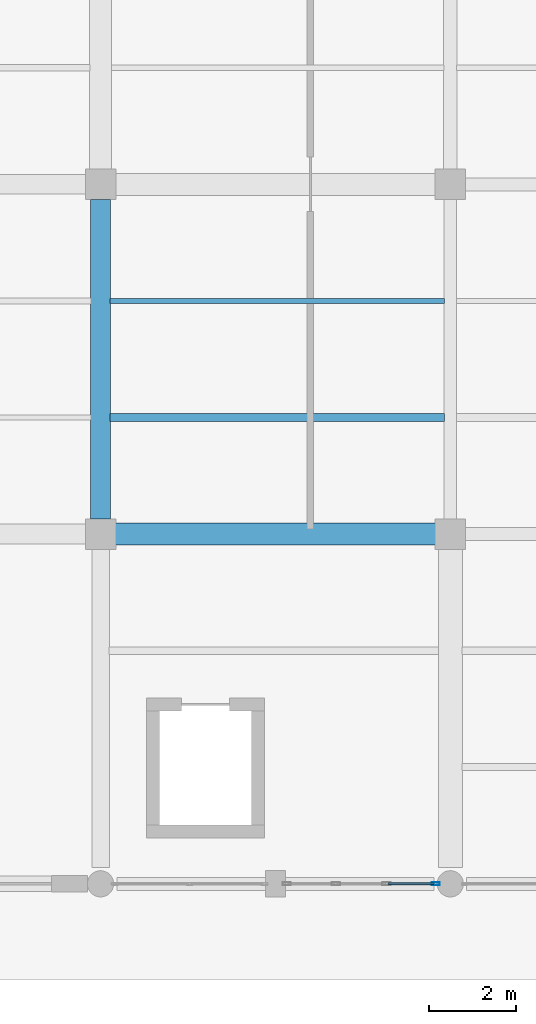
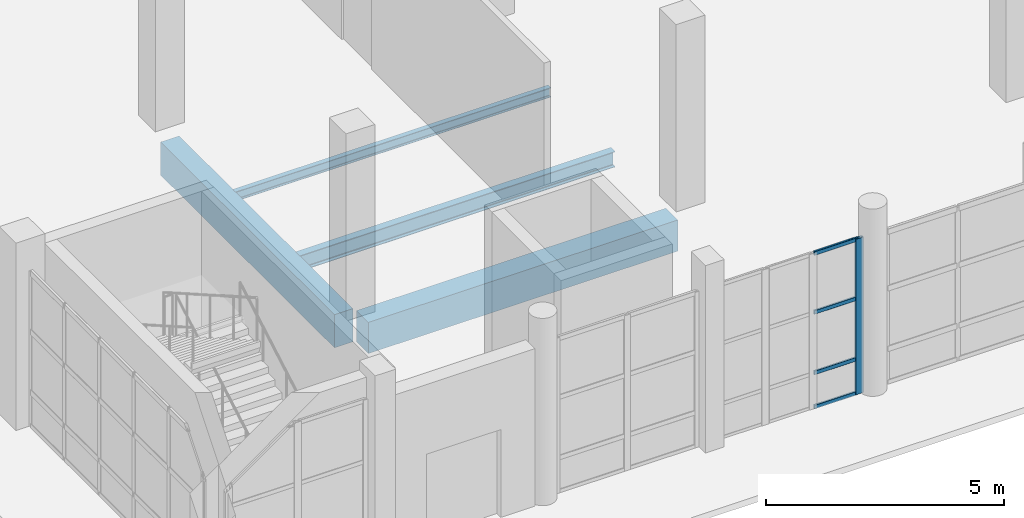
# One storey, part 6 of 156: 5 members, 4 beams, 1 element without a shape of its own.
"""IFC4 building model written with IfcOpenShell, lengths in metres."""

from ifc_helpers import new_model, si_unit, direction, frame, origin, origin_2d, place, context, subcontext, project, spatial, rectangle, hollow_rectangle, i_section, extrude, material, material_profile, profile_set, type_object, element, aggregate, save


model = new_model("IFC4")

# Units and contexts
model_context = context("Model", 3, precision=1e-05, world=origin(), true_north=direction((0.0, 1.0)))
body_context = subcontext(model_context, "Body", "Model", "MODEL_VIEW")
ifc_project = project(units=[si_unit("LENGTHUNIT", "METRE"), si_unit("AREAUNIT", "SQUARE_METRE"), si_unit("VOLUMEUNIT", "CUBIC_METRE"), si_unit("PLANEANGLEUNIT", "RADIAN"), si_unit("MASSUNIT", "GRAM", prefix="KILO")], contexts=[model_context])

# Site, building, storey
site_placement = place(None, origin())
site = spatial("IfcSite", under=ifc_project, at=site_placement, CompositionType="ELEMENT")
building_placement = place(site_placement, origin())
building = spatial("IfcBuilding", under=site, at=building_placement, Name="Luwemba Playhouse", CompositionType="ELEMENT")
storey_placement = place(building_placement, origin())
storey = spatial("IfcBuildingStorey", under=building, at=storey_placement, Name="L00", CompositionType="ELEMENT", Elevation=0.0)

# Beams
ifc_material_1 = material(Name="Concrete C40/50", Category="concrete")
ifc_material_profile_1 = material_profile(ifc_material_1, rectangle(XDim=0.449951171875, YDim=0.85009765625, at=origin_2d()))
ifc_profile_set_1 = profile_set([ifc_material_profile_1], Name="Concrete C40/50")
beam_type_1 = type_object("IfcBeamType", Name="BM-RB05", PredefinedType="BEAM", material=ifc_profile_set_1)
beam_1_placement = place(storey_placement, frame((12.0, 11.35009765625, -0.72509765625), z_axis=(0.0, 1.0, 0.0), x_axis=(-1.0, 0.0, 0.0)))
element("IfcBeam", 1, at=beam_1_placement, inside=storey, type_object=beam_type_1, Name="L00 transverse girder 0182", PredefinedType="BEAM", context=body_context, shape_type="SweptSolid", body=[
    extrude(rectangle(XDim=0.449951171875, YDim=0.85009765625, at=origin_2d()), origin(), (0.0, 0.0, 1.0), 7.2998046875),
])
ifc_material_profile_2 = material_profile(ifc_material_1, rectangle(XDim=0.5, YDim=0.800048828125, at=origin_2d()))
ifc_profile_set_2 = profile_set([ifc_material_profile_2], Name="Concrete C40/50")
beam_type_2 = type_object("IfcBeamType", Name="BM-RB06", PredefinedType="BEAM", material=ifc_profile_set_2)
beam_2_placement = place(storey_placement, frame((12.25, 11.0, -0.699951171875), z_axis=(1.0, 0.0, 0.0), x_axis=(0.0, 1.0, 0.0)))
element("IfcBeam", 2, at=beam_2_placement, inside=storey, type_object=beam_type_2, Name="L00 grid girder 0158", PredefinedType="BEAM", context=body_context, shape_type="SweptSolid", body=[
    extrude(rectangle(XDim=0.5, YDim=0.800048828125, at=origin_2d()), origin(), (0.0, 0.0, 1.0), 7.5),
])
ifc_material_2 = material(Name="Steel S355", Category="steel")
ifc_material_profile_3 = material_profile(ifc_material_2, i_section(OverallWidth=0.1201171875, OverallDepth=0.239990234375, WebThickness=0.006103515625, FlangeThickness=0.009765625, FilletRadius=0.014892578125, at=origin_2d()))
ifc_profile_set_3 = profile_set([ifc_material_profile_3], Name="Steel S355")
beam_type_3 = type_object("IfcBeamType", Name="BM-SJ03", PredefinedType="JOIST", material=ifc_profile_set_3)
beam_3_placement = place(storey_placement, frame((12.220947265625, 16.333251953125, -0.419921875), z_axis=(1.0, 0.0, 0.0), x_axis=(0.0, 1.0, 0.0)))
element("IfcBeam", 3, at=beam_3_placement, inside=storey, type_object=beam_type_3, Name="L00 composite floor joist 0125", PredefinedType="JOIST", context=body_context, shape_type="SweptSolid", body=[
    extrude(i_section(OverallWidth=0.1201171875, OverallDepth=0.239990234375, WebThickness=0.006103515625, FlangeThickness=0.009765625, FilletRadius=0.014892578125, at=origin_2d()), origin(), (0.0, 0.0, 1.0), 7.64306640625),
])
ifc_material_profile_4 = material_profile(ifc_material_2, i_section(OverallWidth=0.179931640625, OverallDepth=0.39990234375, WebThickness=0.008544921875, FlangeThickness=0.013427734375, FilletRadius=0.02099609375, at=origin_2d()))
ifc_profile_set_4 = profile_set([ifc_material_profile_4], Name="Steel S355")
beam_type_4 = type_object("IfcBeamType", Name="BM-SJ08", PredefinedType="JOIST", material=ifc_profile_set_4)
beam_4_placement = place(storey_placement, frame((12.220947265625, 13.666748046875, -0.5), z_axis=(1.0, 0.0, 0.0), x_axis=(0.0, 1.0, 0.0)))
element("IfcBeam", 4, at=beam_4_placement, inside=storey, type_object=beam_type_4, Name="L00 composite floor joist 0124", PredefinedType="JOIST", context=body_context, shape_type="SweptSolid", body=[
    extrude(i_section(OverallWidth=0.179931640625, OverallDepth=0.39990234375, WebThickness=0.008544921875, FlangeThickness=0.013427734375, FilletRadius=0.02099609375, at=origin_2d()), origin(), (0.0, 0.0, 1.0), 7.64306640625),
])

# Curtain wall, members
ifc_material_3 = material(Name="Solar-control double glazing", Category="glass")
curtain_wall_type = type_object("IfcCurtainWallType", Name="CW-CW42", PredefinedType="USERDEFINED", material=ifc_material_3)
curtain_wall_placement = place(storey_placement, origin())
curtain_wall = element("IfcCurtainWall", 5, at=curtain_wall_placement, inside=storey, type_object=curtain_wall_type, Name="L00 V5W unitised curtain wall 050", ObjectType="UNITISED GLAZING", PredefinedType="USERDEFINED")
ifc_material_4 = material(Name="Aluminium 6063-T6", Category="aluminium")
ifc_material_profile_5 = material_profile(ifc_material_4, hollow_rectangle(XDim=0.070068359375, YDim=0.18994140625, WallThickness=0.0048828125, InnerFilletRadius=0.007568359375, OuterFilletRadius=0.012451171875, at=origin_2d()))
ifc_profile_set_5 = profile_set([ifc_material_profile_5], Name="Aluminium 6063-T6")
member_type_1 = type_object("IfcMemberType", Name="CWM-M4", PredefinedType="MULLION", material=ifc_profile_set_5)
member_1_placement = place(storey_placement, frame((19.6650390625, 3.0, 0.0), z_axis=(0.0, 0.0, 1.0), x_axis=(0.0, -1.0, 0.0)))
member_1 = element("IfcMember", 6, at=member_1_placement, type_object=member_type_1, Name="CW42 mullion 1", PredefinedType="MULLION", context=body_context, shape_type="SweptSolid", body=[
    extrude(hollow_rectangle(XDim=0.070068359375, YDim=0.18994140625, WallThickness=0.0048828125, InnerFilletRadius=0.007568359375, OuterFilletRadius=0.012451171875, at=origin_2d()), origin(), (0.0, 0.0, 1.0), 3.985107421875),
])
ifc_material_profile_6 = material_profile(ifc_material_4, hollow_rectangle(XDim=0.050048828125, YDim=0.10009765625, WallThickness=0.00341796875, InnerFilletRadius=0.00537109375, OuterFilletRadius=0.0087890625, at=origin_2d()))
ifc_profile_set_6 = profile_set([ifc_material_profile_6], Name="Aluminium 6063-T6")
member_type_2 = type_object("IfcMemberType", Name="CWT-T4", PredefinedType="USERDEFINED", material=ifc_profile_set_6)
member_2_placement = place(storey_placement, frame((19.6298828125, 3.0, 0.02490234375), z_axis=(-1.0, 0.0, 0.0), x_axis=(0.0, -1.0, 0.0)))
member_2 = element("IfcMember", 7, at=member_2_placement, type_object=member_type_2, Name="CW42 transom 1.1", ObjectType="TRANSOM", PredefinedType="USERDEFINED", context=body_context, shape_type="SweptSolid", body=[
    extrude(hollow_rectangle(XDim=0.050048828125, YDim=0.10009765625, WallThickness=0.00341796875, InnerFilletRadius=0.00537109375, OuterFilletRadius=0.0087890625, at=origin_2d()), origin(), (0.0, 0.0, 1.0), 1.05322265625),
])
member_3_placement = place(storey_placement, frame((19.6298828125, 3.0, 0.89990234375), z_axis=(-1.0, 0.0, 0.0), x_axis=(0.0, -1.0, 0.0)))
member_3 = element("IfcMember", 8, at=member_3_placement, type_object=member_type_2, Name="CW42 transom 1.2", ObjectType="TRANSOM", PredefinedType="USERDEFINED", context=body_context, shape_type="SweptSolid", body=[
    extrude(hollow_rectangle(XDim=0.050048828125, YDim=0.10009765625, WallThickness=0.00341796875, InnerFilletRadius=0.00537109375, OuterFilletRadius=0.0087890625, at=origin_2d()), origin(), (0.0, 0.0, 1.0), 1.05322265625),
])
member_4_placement = place(storey_placement, frame((19.6298828125, 3.0, 2.449951171875), z_axis=(-1.0, 0.0, 0.0), x_axis=(0.0, -1.0, 0.0)))
member_4 = element("IfcMember", 9, at=member_4_placement, type_object=member_type_2, Name="CW42 transom 1.3", ObjectType="TRANSOM", PredefinedType="USERDEFINED", context=body_context, shape_type="SweptSolid", body=[
    extrude(hollow_rectangle(XDim=0.050048828125, YDim=0.10009765625, WallThickness=0.00341796875, InnerFilletRadius=0.00537109375, OuterFilletRadius=0.0087890625, at=origin_2d()), origin(), (0.0, 0.0, 1.0), 1.05322265625),
])
member_5_placement = place(storey_placement, frame((19.6298828125, 3.0, 3.9599609375), z_axis=(-1.0, 0.0, 0.0), x_axis=(0.0, -1.0, 0.0)))
member_5 = element("IfcMember", 10, at=member_5_placement, type_object=member_type_2, Name="CW42 transom 1.4", ObjectType="TRANSOM", PredefinedType="USERDEFINED", context=body_context, shape_type="SweptSolid", body=[
    extrude(hollow_rectangle(XDim=0.050048828125, YDim=0.10009765625, WallThickness=0.00341796875, InnerFilletRadius=0.00537109375, OuterFilletRadius=0.0087890625, at=origin_2d()), origin(), (0.0, 0.0, 1.0), 1.05322265625),
])
aggregate(curtain_wall, [member_1, member_2, member_3, member_4, member_5])

save(model, "model.ifc")
